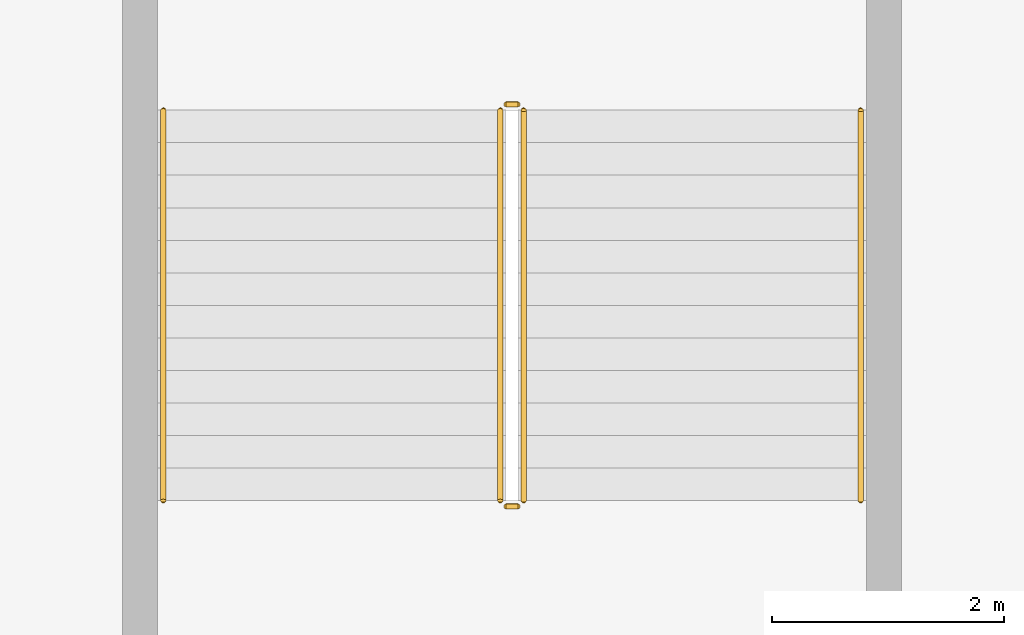
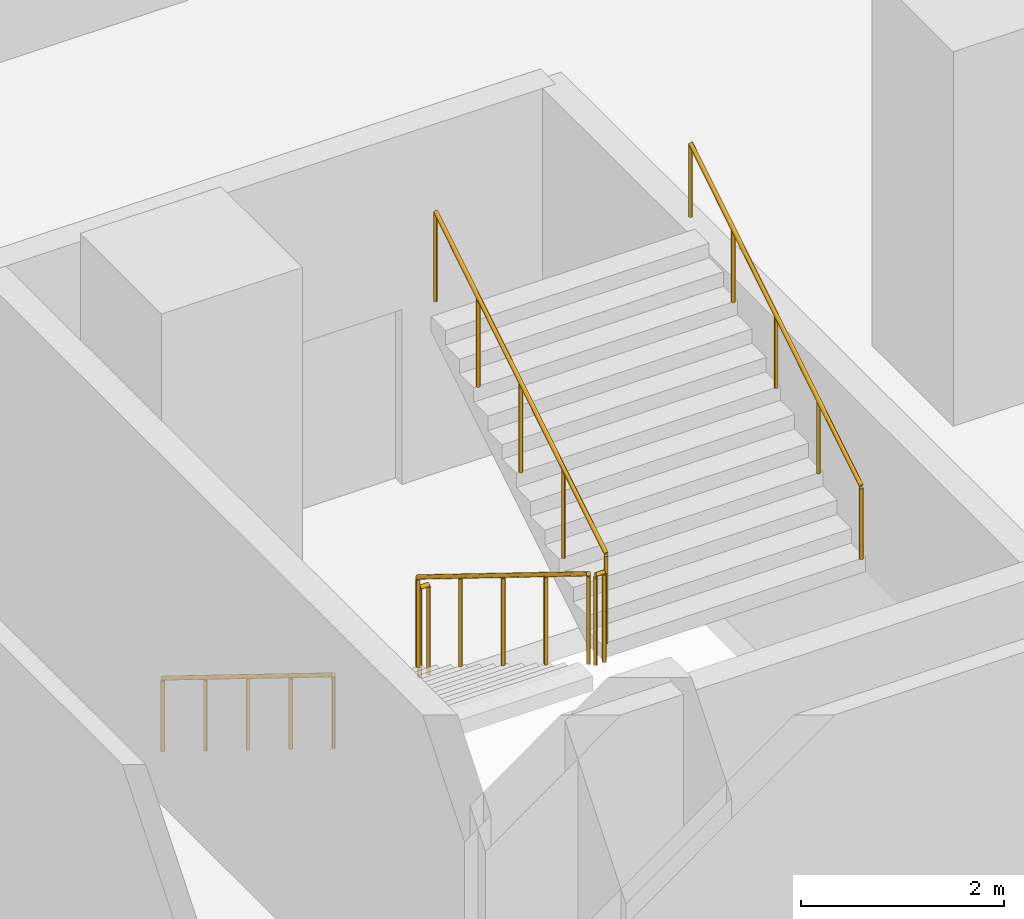
# One storey, part 12 of 14: 6 railings.
"""IFC4 building model written with IfcOpenShell, lengths in metres."""

from ifc_helpers import new_model, si_unit, direction, frame, origin, origin_2d, place, context, subcontext, project, spatial, circle, extrude, material, type_object, element, save


model = new_model("IFC4")

# Units and contexts
model_context = context("Model", 3, precision=1e-05, world=origin(), true_north=direction((0.0, 1.0)))
body_context = subcontext(model_context, "Body", "Model", "MODEL_VIEW")
ifc_project = project(units=[si_unit("LENGTHUNIT", "METRE"), si_unit("AREAUNIT", "SQUARE_METRE"), si_unit("VOLUMEUNIT", "CUBIC_METRE"), si_unit("PLANEANGLEUNIT", "RADIAN"), si_unit("MASSUNIT", "GRAM", prefix="KILO")], contexts=[model_context])

# Site, building, storey
site_placement = place(None, origin())
site = spatial("IfcSite", under=ifc_project, at=site_placement, CompositionType="ELEMENT")
building_placement = place(site_placement, origin())
building = spatial("IfcBuilding", under=site, at=building_placement, Name="Ogive Portal Towers", CompositionType="ELEMENT")
storey_placement = place(building_placement, frame((0.0, 0.0, -4.5)))
storey = spatial("IfcBuildingStorey", under=building, at=storey_placement, Name="B1", CompositionType="ELEMENT", Elevation=-4.5)

# Railings
ifc_material_1 = material(Name="Stainless steel balustrade", Category="steel")
railing_type_1 = type_object("IfcRailingType", Name="INT-GUARD", PredefinedType="GUARDRAIL", material=ifc_material_1)
railing_1_placement = place(storey_placement, frame((68.949951171875, 19.550048828125, 0.173095703125)))
element("IfcRailing", 1, at=railing_1_placement, inside=storey, type_object=railing_type_1, Name="B1 ST-S1 stair guard 1", PredefinedType="GUARDRAIL", context=body_context, shape_type="SweptSolid", body=[
    extrude(circle(Radius=0.02392578125, at=origin_2d()), frame((0.0, 0.0, 1.076171875), z_axis=(0.0, -0.850623216509, 0.525775754039), x_axis=(1.0, 0.0, 0.0)), (0.0, 0.0, 1.0), 3.9501953125),
    extrude(circle(Radius=0.02099609375, at=origin_2d()), origin(), (0.0, 0.0, 1.0), 1.052001953125),
    extrude(circle(Radius=0.02099609375, at=origin_2d()), frame((0.0, -0.840087890625, 0.519287109375)), (0.0, 0.0, 1.0), 1.052001953125),
    extrude(circle(Radius=0.02099609375, at=origin_2d()), frame((0.0, -1.68017578125, 1.03857421875)), (0.0, 0.0, 1.0), 1.052001953125),
    extrude(circle(Radius=0.02099609375, at=origin_2d()), frame((0.0, -2.52001953125, 1.5576171875)), (0.0, 0.0, 1.0), 1.052001953125),
    extrude(circle(Radius=0.02099609375, at=origin_2d()), frame((0.0, -3.360107421875, 2.076904296875)), (0.0, 0.0, 1.0), 1.052001953125),
])
railing_2_placement = place(storey_placement, frame((69.0, 16.139892578125, 2.25)))
element("IfcRailing", 2, at=railing_2_placement, inside=storey, type_object=railing_type_1, Name="B1 ST-S1 stair guard 2", PredefinedType="GUARDRAIL", context=body_context, shape_type="SweptSolid", body=[
    extrude(circle(Radius=0.02392578125, at=origin_2d()), frame((0.0, 0.0, 1.076171875), z_axis=(1.0, 0.0, 0.0), x_axis=(0.0, 1.0, 0.0)), (0.0, 0.0, 1.0), 0.10009765625),
    extrude(circle(Radius=0.02099609375, at=origin_2d()), origin(), (0.0, 0.0, 1.0), 1.052001953125),
    extrude(circle(Radius=0.02099609375, at=origin_2d()), frame((0.10009765625, 0.0, 0.0)), (0.0, 0.0, 1.0), 1.052001953125),
])
railing_3_placement = place(storey_placement, frame((69.14990234375, 16.18994140625, 2.423095703125)))
element("IfcRailing", 3, at=railing_3_placement, inside=storey, type_object=railing_type_1, Name="B1 ST-S1 stair guard 3", PredefinedType="GUARDRAIL", context=body_context, shape_type="SweptSolid", body=[
    extrude(circle(Radius=0.02392578125, at=origin_2d()), frame((0.0, 0.0, 1.076171875), z_axis=(0.0, 0.850623216509, 0.525775754039), x_axis=(-1.0, 0.0, 0.0)), (0.0, 0.0, 1.0), 3.9501953125),
    extrude(circle(Radius=0.02099609375, at=origin_2d()), origin(), (0.0, 0.0, 1.0), 1.052001953125),
    extrude(circle(Radius=0.02099609375, at=origin_2d()), frame((0.0, 0.840087890625, 0.519287109375)), (0.0, 0.0, 1.0), 1.052001953125),
    extrude(circle(Radius=0.02099609375, at=origin_2d()), frame((0.0, 1.68017578125, 1.03857421875)), (0.0, 0.0, 1.0), 1.052001953125),
    extrude(circle(Radius=0.02099609375, at=origin_2d()), frame((0.0, 2.52001953125, 1.5576171875)), (0.0, 0.0, 1.0), 1.052001953125),
    extrude(circle(Radius=0.02099609375, at=origin_2d()), frame((0.0, 3.360107421875, 2.076904296875)), (0.0, 0.0, 1.0), 1.052001953125),
])
railing_4_placement = place(storey_placement, frame((69.0, 19.60009765625, 0.0)))
element("IfcRailing", 4, at=railing_4_placement, inside=storey, type_object=railing_type_1, Name="B1 ST-S1 stair guard 4", PredefinedType="GUARDRAIL", context=body_context, shape_type="SweptSolid", body=[
    extrude(circle(Radius=0.02392578125, at=origin_2d()), frame((0.0, 0.0, 1.076171875), z_axis=(1.0, 0.0, 0.0), x_axis=(0.0, 1.0, 0.0)), (0.0, 0.0, 1.0), 0.10009765625),
    extrude(circle(Radius=0.02099609375, at=origin_2d()), origin(), (0.0, 0.0, 1.0), 1.052001953125),
    extrude(circle(Radius=0.02099609375, at=origin_2d()), frame((0.10009765625, 0.0, 0.0)), (0.0, 0.0, 1.0), 1.052001953125),
])
ifc_material_2 = material(Name="Stainless steel handrail", Category="steel")
railing_type_2 = type_object("IfcRailingType", Name="INT-HANDRAIL", PredefinedType="HANDRAIL", material=ifc_material_2)
railing_5_placement = place(storey_placement, frame((66.050048828125, 19.550048828125, 0.173095703125)))
element("IfcRailing", 5, at=railing_5_placement, inside=storey, type_object=railing_type_2, Name="B1 ST-S1 stair handrail 1", PredefinedType="HANDRAIL", context=body_context, shape_type="SweptSolid", body=[
    extrude(circle(Radius=0.02392578125, at=origin_2d()), frame((0.0, 0.0, 0.8759765625), z_axis=(0.0, -0.850623216509, 0.525775754039), x_axis=(1.0, 0.0, 0.0)), (0.0, 0.0, 1.0), 3.9501953125),
    extrude(circle(Radius=0.02099609375, at=origin_2d()), origin(), (0.0, 0.0, 1.0), 0.851806640625),
    extrude(circle(Radius=0.02099609375, at=origin_2d()), frame((0.0, -0.840087890625, 0.519287109375)), (0.0, 0.0, 1.0), 0.851806640625),
    extrude(circle(Radius=0.02099609375, at=origin_2d()), frame((0.0, -1.68017578125, 1.03857421875)), (0.0, 0.0, 1.0), 0.851806640625),
    extrude(circle(Radius=0.02099609375, at=origin_2d()), frame((0.0, -2.52001953125, 1.5576171875)), (0.0, 0.0, 1.0), 0.851806640625),
    extrude(circle(Radius=0.02099609375, at=origin_2d()), frame((0.0, -3.360107421875, 2.076904296875)), (0.0, 0.0, 1.0), 0.851806640625),
])
railing_6_placement = place(storey_placement, frame((72.050048828125, 16.18994140625, 2.423095703125)))
element("IfcRailing", 6, at=railing_6_placement, inside=storey, type_object=railing_type_2, Name="B1 ST-S1 stair handrail 2", PredefinedType="HANDRAIL", context=body_context, shape_type="SweptSolid", body=[
    extrude(circle(Radius=0.02392578125, at=origin_2d()), frame((0.0, 0.0, 0.8759765625), z_axis=(0.0, 0.850623216509, 0.525775754039), x_axis=(-1.0, 0.0, 0.0)), (0.0, 0.0, 1.0), 3.9501953125),
    extrude(circle(Radius=0.02099609375, at=origin_2d()), origin(), (0.0, 0.0, 1.0), 0.851806640625),
    extrude(circle(Radius=0.02099609375, at=origin_2d()), frame((0.0, 0.840087890625, 0.519287109375)), (0.0, 0.0, 1.0), 0.851806640625),
    extrude(circle(Radius=0.02099609375, at=origin_2d()), frame((0.0, 1.68017578125, 1.03857421875)), (0.0, 0.0, 1.0), 0.851806640625),
    extrude(circle(Radius=0.02099609375, at=origin_2d()), frame((0.0, 2.52001953125, 1.5576171875)), (0.0, 0.0, 1.0), 0.851806640625),
    extrude(circle(Radius=0.02099609375, at=origin_2d()), frame((0.0, 3.360107421875, 2.076904296875)), (0.0, 0.0, 1.0), 0.851806640625),
])

save(model, "model.ifc")
